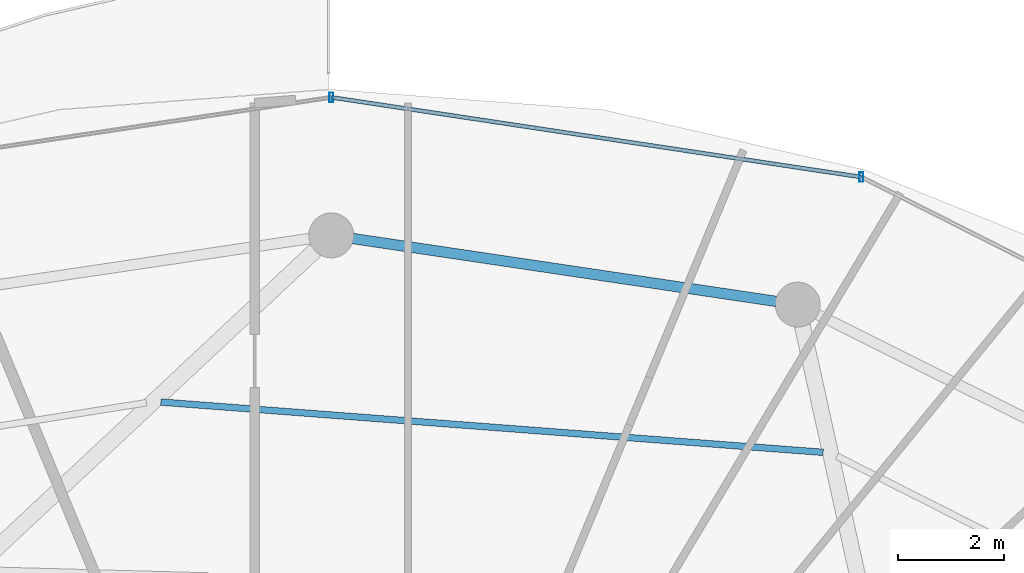
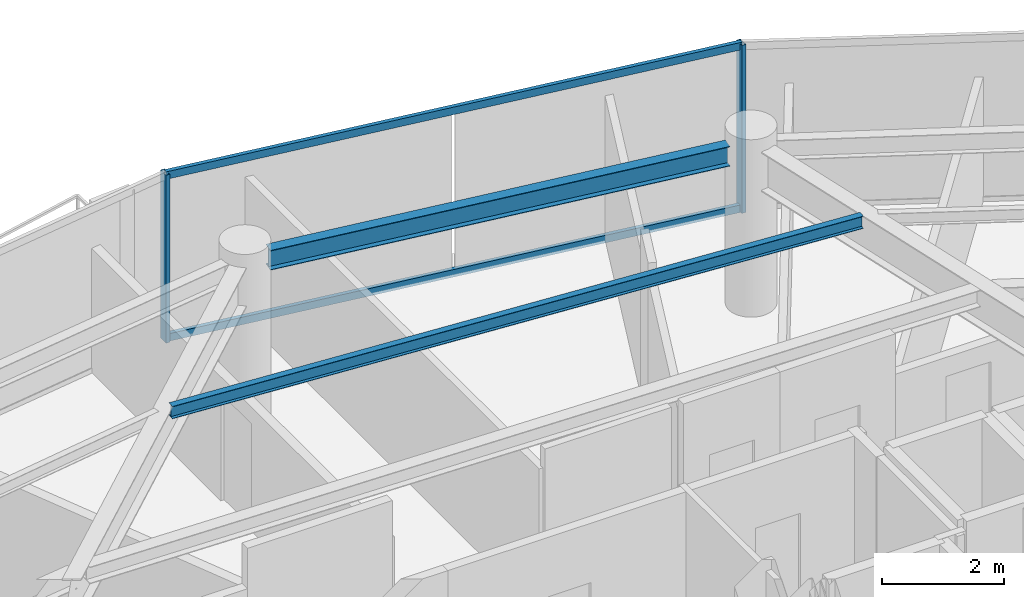
# One storey, part 17 of 29: 4 members, 2 beams, 1 element without a shape of its own.
"""IFC4 building model written with IfcOpenShell, lengths in metres."""

from ifc_helpers import new_model, si_unit, direction, frame, origin, origin_2d, place, context, subcontext, project, spatial, hollow_rectangle, i_section, extrude, material, material_profile, profile_set, type_object, element, aggregate, save


model = new_model("IFC4")

# Units and contexts
model_context = context("Model", 3, precision=1e-05, world=origin(), true_north=direction((0.0, 1.0)))
body_context = subcontext(model_context, "Body", "Model", "MODEL_VIEW")
ifc_project = project(units=[si_unit("LENGTHUNIT", "METRE"), si_unit("AREAUNIT", "SQUARE_METRE"), si_unit("VOLUMEUNIT", "CUBIC_METRE"), si_unit("PLANEANGLEUNIT", "RADIAN"), si_unit("MASSUNIT", "GRAM", prefix="KILO")], contexts=[model_context])

# Site, building, storey
site_placement = place(None, origin())
site = spatial("IfcSite", under=ifc_project, at=site_placement, CompositionType="ELEMENT")
building_placement = place(site_placement, origin())
building = spatial("IfcBuilding", under=site, at=building_placement, Name="Vorneva Point Tower", CompositionType="ELEMENT")
storey_placement = place(building_placement, frame((0.0, 0.0, 259.10009765625)))
storey = spatial("IfcBuildingStorey", under=building, at=storey_placement, Name="L70", CompositionType="ELEMENT", Elevation=259.10009765625)

# Beams
ifc_material_1 = material(Name="Steel S355", Category="steel")
ifc_material_profile_1 = material_profile(ifc_material_1, i_section(OverallWidth=0.1240234375, OverallDepth=0.248046875, WebThickness=0.0048828125, FlangeThickness=0.008056640625, at=origin_2d()), Name="25B1")
ifc_profile_set_1 = profile_set([ifc_material_profile_1], Name="Steel S355")
beam_type_1 = type_object("IfcBeamType", Name="BM-JST-25B1", PredefinedType="JOIST", material=ifc_profile_set_1)
beam_1_placement = place(storey_placement, frame((47.30224609375, 39.09619140625, 3.166015625), z_axis=(-0.997132387184, 0.075676961014, 0.0), x_axis=(-0.075676961014, -0.997132387184, 0.0)))
element("IfcBeam", 1, at=beam_1_placement, inside=storey, type_object=beam_type_1, Name="L70 Secondary Floor Beam 1.04", PredefinedType="JOIST", context=body_context, shape_type="SweptSolid", body=[
    extrude(i_section(OverallWidth=0.1240234375, OverallDepth=0.248046875, WebThickness=0.0048828125, FlangeThickness=0.008056640625, at=origin_2d()), origin(), (0.0, 0.0, 1.0), 12.5625),
])
ifc_material_profile_2 = material_profile(ifc_material_1, i_section(OverallWidth=0.198974609375, OverallDepth=0.39599609375, WebThickness=0.007080078125, FlangeThickness=0.010986328125, at=origin_2d()), Name="40B1")
ifc_profile_set_2 = profile_set([ifc_material_profile_2], Name="Steel S355")
beam_type_2 = type_object("IfcBeamType", Name="BM-SPN-40B1", PredefinedType="SPANDREL", material=ifc_profile_set_2)
beam_2_placement = place(storey_placement, frame((46.415283203125, 41.950927734375, 3.091796875), z_axis=(-0.989161657331, 0.146830567886, 0.0), x_axis=(-0.146830567886, -0.989161657331, 0.0)))
element("IfcBeam", 2, at=beam_2_placement, inside=storey, type_object=beam_type_2, Name="L70 Perimeter Spandrel Ring Beam 04", PredefinedType="SPANDREL", context=body_context, shape_type="SweptSolid", body=[
    extrude(i_section(OverallWidth=0.198974609375, OverallDepth=0.39599609375, WebThickness=0.007080078125, FlangeThickness=0.010986328125, at=origin_2d()), origin(), (0.0, 0.0, 1.0), 8.097412109375),
])

# Curtain wall, members
ifc_material_2 = material(Name="Pale anodised aluminium", Category="aluminium")
curtain_wall_type = type_object("IfcCurtainWallType", Name="CW-RES-SYS", PredefinedType="NOTDEFINED", material=ifc_material_2)
curtain_wall_placement = place(storey_placement, origin())
curtain_wall = element("IfcCurtainWall", 3, at=curtain_wall_placement, inside=storey, type_object=curtain_wall_type, Name="L70 Unitised Curtain Wall CW-L70-R02", PredefinedType="NOTDEFINED")
ifc_material_profile_3 = material_profile(ifc_material_2, hollow_rectangle(XDim=0.074951171875, YDim=0.179931640625, WallThickness=0.00390625, at=origin_2d()), Name="AL-MUL 180x75x4")
ifc_profile_set_3 = profile_set([ifc_material_profile_3], Name="Pale anodised aluminium")
member_type_1 = type_object("IfcMemberType", Name="CW-MUL-180", PredefinedType="MULLION", material=ifc_profile_set_3)
member_1_placement = place(storey_placement, frame((48.0263671875, 44.302001953125, -0.0400390625), z_axis=(0.0, 0.0, 1.0), x_axis=(1.0, 0.0, 0.0)))
member_1 = element("IfcMember", 4, at=member_1_placement, type_object=member_type_1, Name="CW-L70-R02 Mullion 02", PredefinedType="MULLION", context=body_context, shape_type="SweptSolid", body=[
    extrude(hollow_rectangle(XDim=0.074951171875, YDim=0.179931640625, WallThickness=0.00390625, at=origin_2d()), origin(), (0.0, 0.0, 1.0), 3.35986328125),
])
member_2_placement = place(storey_placement, frame((38.0, 45.81005859375, -0.0400390625), z_axis=(0.0, 0.0, 1.0), x_axis=(1.0, 0.0, 0.0)))
member_2 = element("IfcMember", 5, at=member_2_placement, type_object=member_type_1, Name="CW-L70-R02 Mullion 03", PredefinedType="MULLION", context=body_context, shape_type="SweptSolid", body=[
    extrude(hollow_rectangle(XDim=0.074951171875, YDim=0.179931640625, WallThickness=0.00390625, at=origin_2d()), origin(), (0.0, 0.0, 1.0), 3.35986328125),
])
ifc_material_profile_4 = material_profile(ifc_material_2, hollow_rectangle(XDim=0.074951171875, YDim=0.14990234375, WallThickness=0.00390625, at=origin_2d()), Name="AL-TRN 150x75x4")
ifc_profile_set_4 = profile_set([ifc_material_profile_4], Name="Pale anodised aluminium")
member_type_2 = type_object("IfcMemberType", Name="CW-TRN-150", PredefinedType="USERDEFINED", material=ifc_profile_set_4)
member_3_placement = place(storey_placement, frame((48.0263671875, 44.302001953125, 0.02001953125), z_axis=(-0.988876929856, 0.148736066907, 0.0), x_axis=(-0.148736066907, -0.988876929856, 0.0)))
member_3 = element("IfcMember", 6, at=member_3_placement, type_object=member_type_2, Name="CW-L70-R02 Transom 02.1", ObjectType="TRANSOM", PredefinedType="USERDEFINED", context=body_context, shape_type="SweptSolid", body=[
    extrude(hollow_rectangle(XDim=0.074951171875, YDim=0.14990234375, WallThickness=0.00390625, at=origin_2d()), origin(), (0.0, 0.0, 1.0), 10.13916015625),
])
member_4_placement = place(storey_placement, frame((48.0263671875, 44.302001953125, 3.27001953125), z_axis=(-0.988876929856, 0.148736066907, 0.0), x_axis=(-0.148736066907, -0.988876929856, 0.0)))
member_4 = element("IfcMember", 7, at=member_4_placement, type_object=member_type_2, Name="CW-L70-R02 Transom 02.2", ObjectType="TRANSOM", PredefinedType="USERDEFINED", context=body_context, shape_type="SweptSolid", body=[
    extrude(hollow_rectangle(XDim=0.074951171875, YDim=0.14990234375, WallThickness=0.00390625, at=origin_2d()), origin(), (0.0, 0.0, 1.0), 10.13916015625),
])
aggregate(curtain_wall, [member_1, member_2, member_3, member_4])

save(model, "model.ifc")
